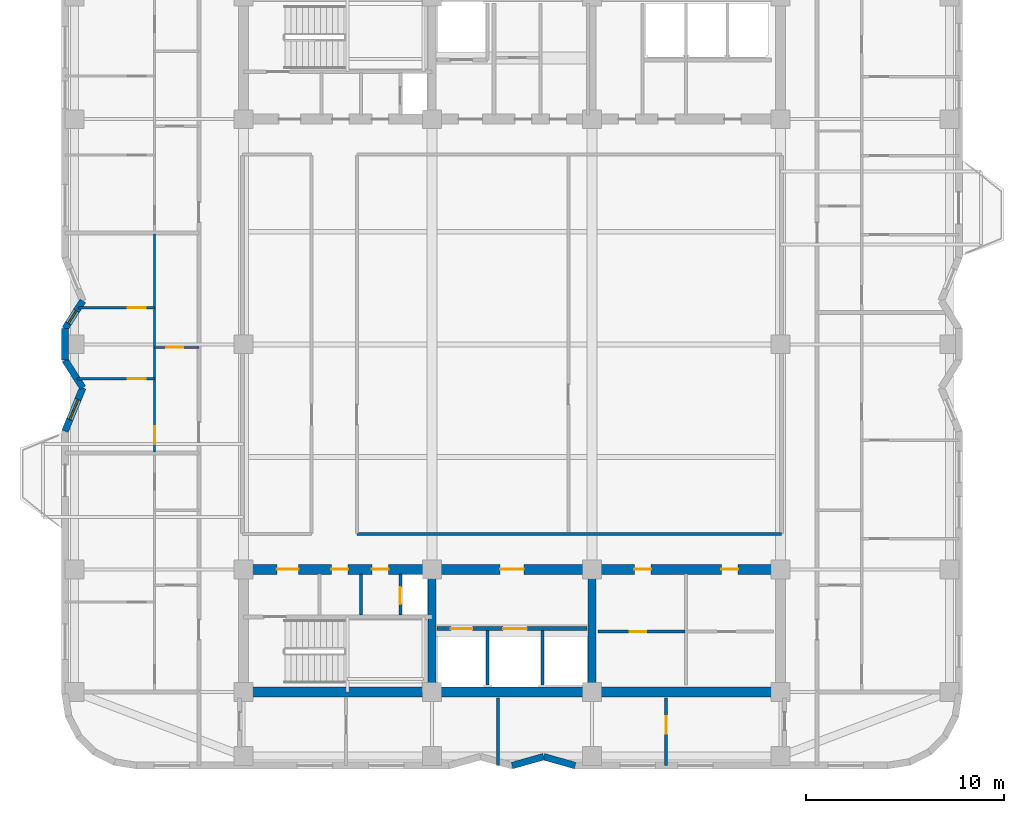
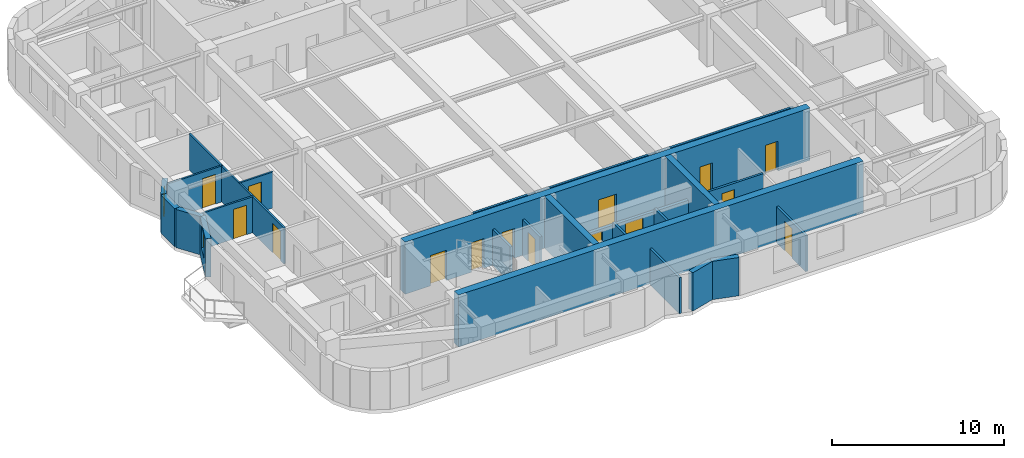
# One storey, part 3 of 9: 23 walls, 15 doors, 2 windows, 17 openings.
"""IFC4 building model written with IfcOpenShell, lengths in metres."""

from ifc_helpers import new_model, si_unit, direction, frame, frame_2d, origin, place, context, subcontext, project, spatial, rectangle, extrude, material, layer, layer_set, type_object, element, fill, save


model = new_model("IFC4")

# Units and contexts
model_context = context("Model", 3, precision=1e-05, world=origin(), true_north=direction((0.0, 1.0)))
body_context = subcontext(model_context, "Body", "Model", "MODEL_VIEW")
ifc_project = project(units=[si_unit("LENGTHUNIT", "METRE"), si_unit("AREAUNIT", "SQUARE_METRE"), si_unit("VOLUMEUNIT", "CUBIC_METRE"), si_unit("PLANEANGLEUNIT", "RADIAN"), si_unit("MASSUNIT", "GRAM", prefix="KILO")], contexts=[model_context])

# Site, building, storey
site_placement = place(None, origin())
site = spatial("IfcSite", under=ifc_project, at=site_placement, CompositionType="ELEMENT")
building_placement = place(site_placement, origin())
building = spatial("IfcBuilding", under=site, at=building_placement, Name="Svetorya Sky Lyceum", CompositionType="ELEMENT")
storey_placement = place(building_placement, frame((0.0, 0.0, 162.60009765625)))
storey = spatial("IfcBuildingStorey", under=building, at=storey_placement, Name="L40", CompositionType="ELEMENT", Elevation=162.60009765625)

# Walls
ifc_material_1 = material(Name="Concrete C40/50", Category="concrete")
ifc_layer_1 = layer(ifc_material_1, 0.39990234375)
ifc_layer_set_1 = layer_set([ifc_layer_1], Name="Concrete C40/50")
wall_type_1 = type_object("IfcWallType", Name="WL-CORE-400", PredefinedType="SHEAR", material=ifc_layer_set_1)
for number, where, z_axis, x_axis, name in (
    (1, (35.14990234375, 10.85009765625, 0.0), (0.0, 0.0, 1.0), (0.0, 1.0, 0.0), "L40 SC Internal Shear Web WEB1"),
    (2, (43.25, 10.85009765625, 0.0), (0.0, 0.0, 1.0), (0.0, 1.0, 0.0), "L40 SC Internal Shear Web WEB2"),
):
    element("IfcWall", number, at=place(storey_placement, frame(where, z_axis=z_axis, x_axis=x_axis)), inside=storey, type_object=wall_type_1, Name=name, PredefinedType="SHEAR", context=body_context, shape_type="SweptSolid", body=[
        extrude(rectangle(XDim=5.699951171875, YDim=0.39990234375, at=frame_2d((2.85009765625, 0.0))), origin(), (0.0, 0.0, 1.0), 3.699951171875),
    ])
ifc_material_2 = material(Name="Concrete C50/60", Category="concrete")
ifc_layer_2 = layer(ifc_material_2, 0.5)
ifc_layer_set_2 = layer_set([ifc_layer_2], Name="Concrete C50/60")
wall_type_2 = type_object("IfcWallType", Name="WL-CORE-500", PredefinedType="SHEAR", material=ifc_layer_set_2)
wall_1_placement = place(storey_placement, frame((52.800048828125, 10.60009765625, 0.0), z_axis=(0.0, 0.0, 1.0), x_axis=(-1.0, 0.0, 0.0)))
element("IfcWall", 3, at=wall_1_placement, inside=storey, type_object=wall_type_2, Name="L40 SC Outer Core Shear Wall", PredefinedType="SHEAR", context=body_context, shape_type="SweptSolid", body=[
    extrude(rectangle(XDim=27.199951171875, YDim=0.5, at=frame_2d((13.60009765625, 0.0))), origin(), (0.0, 0.0, 1.0), 3.699951171875),
])

# Wall, openings, doors
wall_2_placement = place(storey_placement, frame((25.60009765625, 16.800048828125, 0.0), z_axis=(0.0, 0.0, 1.0), x_axis=(1.0, 0.0, 0.0)))
wall_2 = element("IfcWall", 4, at=wall_2_placement, inside=storey, type_object=wall_type_2, Name="L40 SC Inner Core Shear Wall", PredefinedType="SHEAR", context=body_context, shape_type="SweptSolid", body=[
    extrude(rectangle(XDim=27.199951171875, YDim=0.5, at=frame_2d((13.60009765625, 0.0))), origin(), (0.0, 0.0, 1.0), 3.699951171875),
])
opening_1_placement = place(wall_2_placement, frame((1.699951171875, 0.0, 0.0)))
opening_1 = element("IfcOpeningElement", 5, at=opening_1_placement, cuts=wall_2, Name="Opening D-ST1", PredefinedType="OPENING", context=body_context, shape_type="SweptSolid", body=[
    extrude(rectangle(XDim=1.10009765625, YDim=2.14990234375, at=frame_2d((0.550048828125, 1.074951171875))), frame((0.0, 0.260009765625, 0.0), z_axis=(0.0, -1.0, 0.0), x_axis=(1.0, 0.0, 0.0)), (0.0, 0.0, 1.0), 0.52001953125),
])
opening_2_placement = place(wall_2_placement, frame((4.449951171875, 0.0, 0.0)))
opening_2 = element("IfcOpeningElement", 6, at=opening_2_placement, cuts=wall_2, Name="Opening D-CWC1", PredefinedType="OPENING", context=body_context, shape_type="SweptSolid", body=[
    extrude(rectangle(XDim=0.85009765625, YDim=2.10009765625, at=frame_2d((0.425048828125, 1.050048828125))), frame((0.0, 0.260009765625, 0.0), z_axis=(0.0, -1.0, 0.0), x_axis=(1.0, 0.0, 0.0)), (0.0, 0.0, 1.0), 0.52001953125),
])
opening_3_placement = place(wall_2_placement, frame((6.5, 0.0, 0.0)))
opening_3 = element("IfcOpeningElement", 7, at=opening_3_placement, cuts=wall_2, Name="Opening D-CWC1", PredefinedType="OPENING", context=body_context, shape_type="SweptSolid", body=[
    extrude(rectangle(XDim=0.85009765625, YDim=2.10009765625, at=frame_2d((0.425048828125, 1.050048828125))), frame((0.0, 0.260009765625, 0.0), z_axis=(0.0, -1.0, 0.0), x_axis=(1.0, 0.0, 0.0)), (0.0, 0.0, 1.0), 0.52001953125),
])
opening_4_placement = place(wall_2_placement, frame((13.0, 0.0, 0.0)))
opening_4 = element("IfcOpeningElement", 8, at=opening_4_placement, cuts=wall_2, Name="Opening D-FL1", PredefinedType="OPENING", context=body_context, shape_type="SweptSolid", body=[
    extrude(rectangle(XDim=1.199951171875, YDim=2.14990234375, at=frame_2d((0.60009765625, 1.074951171875))), frame((0.0, 0.260009765625, 0.0), z_axis=(0.0, -1.0, 0.0), x_axis=(1.0, 0.0, 0.0)), (0.0, 0.0, 1.0), 0.52001953125),
])
opening_5_placement = place(wall_2_placement, frame((19.800048828125, 0.0, 0.0)))
opening_5 = element("IfcOpeningElement", 9, at=opening_5_placement, cuts=wall_2, Name="Opening D-CWC1", PredefinedType="OPENING", context=body_context, shape_type="SweptSolid", body=[
    extrude(rectangle(XDim=0.85009765625, YDim=2.10009765625, at=frame_2d((0.425048828125, 1.050048828125))), frame((0.0, 0.260009765625, 0.0), z_axis=(0.0, -1.0, 0.0), x_axis=(1.0, 0.0, 0.0)), (0.0, 0.0, 1.0), 0.52001953125),
])
opening_6_placement = place(wall_2_placement, frame((24.199951171875, 0.0, 0.0)))
opening_6 = element("IfcOpeningElement", 10, at=opening_6_placement, cuts=wall_2, Name="Opening D-CWC1", PredefinedType="OPENING", context=body_context, shape_type="SweptSolid", body=[
    extrude(rectangle(XDim=0.85009765625, YDim=2.10009765625, at=frame_2d((0.425048828125, 1.050048828125))), frame((0.0, 0.260009765625, 0.0), z_axis=(0.0, -1.0, 0.0), x_axis=(1.0, 0.0, 0.0)), (0.0, 0.0, 1.0), 0.52001953125),
])
ifc_material_3 = material(Name="Fire-rated galvanized steel core service closet door", Category="steel")
door_type_1 = type_object("IfcDoorType", Name="DR-CWET-850", OperationType="SINGLE_SWING_LEFT", PredefinedType="DOOR", material=ifc_material_3)
door_1_placement = place(opening_2_placement, origin())
door_1 = element("IfcDoor", 11, at=door_1_placement, inside=storey, type_object=door_type_1, Name="L40 South Mop Closet Door", OperationType="SINGLE_SWING_LEFT", OverallHeight=2.10009765625, OverallWidth=0.85009765625, PredefinedType="DOOR", context=body_context, shape_type="SweptSolid", body=[
    extrude(rectangle(XDim=0.85009765625, YDim=2.10009765625, at=frame_2d((0.425048828125, 1.050048828125))), frame((0.0, 0.02490234375, 0.0), z_axis=(0.0, -1.0, 0.0), x_axis=(1.0, 0.0, 0.0)), (0.0, 0.0, 1.0), 0.050048828125),
])
fill(opening_2, door_1)
door_2_placement = place(opening_3_placement, origin())
door_2 = element("IfcDoor", 12, at=door_2_placement, inside=storey, type_object=door_type_1, Name="L40 South West WC Door", OperationType="SINGLE_SWING_RIGHT", OverallHeight=2.10009765625, OverallWidth=0.85009765625, PredefinedType="DOOR", context=body_context, shape_type="SweptSolid", body=[
    extrude(rectangle(XDim=0.85009765625, YDim=2.10009765625, at=frame_2d((0.425048828125, 1.050048828125))), frame((0.0, 0.02490234375, 0.0), z_axis=(0.0, -1.0, 0.0), x_axis=(1.0, 0.0, 0.0)), (0.0, 0.0, 1.0), 0.050048828125),
])
fill(opening_3, door_2)
door_3_placement = place(opening_5_placement, origin())
door_3 = element("IfcDoor", 13, at=door_3_placement, inside=storey, type_object=door_type_1, Name="L40 Housekeeping Door", OperationType="SINGLE_SWING_LEFT", OverallHeight=2.10009765625, OverallWidth=0.85009765625, PredefinedType="DOOR", context=body_context, shape_type="SweptSolid", body=[
    extrude(rectangle(XDim=0.85009765625, YDim=2.10009765625, at=frame_2d((0.425048828125, 1.050048828125))), frame((0.0, 0.02490234375, 0.0), z_axis=(0.0, -1.0, 0.0), x_axis=(1.0, 0.0, 0.0)), (0.0, 0.0, 1.0), 0.050048828125),
])
fill(opening_5, door_3)
door_4_placement = place(opening_6_placement, origin())
door_4 = element("IfcDoor", 14, at=door_4_placement, inside=storey, type_object=door_type_1, Name="L40 South WC Door", OperationType="SINGLE_SWING_RIGHT", OverallHeight=2.10009765625, OverallWidth=0.85009765625, PredefinedType="DOOR", context=body_context, shape_type="SweptSolid", body=[
    extrude(rectangle(XDim=0.85009765625, YDim=2.10009765625, at=frame_2d((0.425048828125, 1.050048828125))), frame((0.0, 0.02490234375, 0.0), z_axis=(0.0, -1.0, 0.0), x_axis=(1.0, 0.0, 0.0)), (0.0, 0.0, 1.0), 0.050048828125),
])
fill(opening_6, door_4)
ifc_material_4 = material(Name="Powder-coated insulated galvanized stair fire door")
door_type_2 = type_object("IfcDoorType", Name="DR-FIRE-1100", OperationType="SINGLE_SWING_LEFT", PredefinedType="DOOR", material=ifc_material_4)
door_5_placement = place(opening_1_placement, origin())
door_5 = element("IfcDoor", 15, at=door_5_placement, inside=storey, type_object=door_type_2, Name="L40 South Stair Airlock Door", OperationType="SINGLE_SWING_RIGHT", OverallHeight=2.14990234375, OverallWidth=1.10009765625, PredefinedType="DOOR", context=body_context, shape_type="SweptSolid", body=[
    extrude(rectangle(XDim=1.10009765625, YDim=2.14990234375, at=frame_2d((0.550048828125, 1.074951171875))), frame((0.0, 0.02490234375, 0.0), z_axis=(0.0, -1.0, 0.0), x_axis=(1.0, 0.0, 0.0)), (0.0, 0.0, 1.0), 0.050048828125),
])
fill(opening_1, door_5)
ifc_material_5 = material(Name="Powder-coated insulated galvanized fire door")
door_type_3 = type_object("IfcDoorType", Name="DR-FIRE-1200", OperationType="SINGLE_SWING_LEFT", PredefinedType="DOOR", material=ifc_material_5)
door_6_placement = place(opening_4_placement, origin())
door_6 = element("IfcDoor", 16, at=door_6_placement, inside=storey, type_object=door_type_3, Name="L40 South Firefighting Lift Lobby Door", OperationType="SINGLE_SWING_LEFT", OverallHeight=2.14990234375, OverallWidth=1.199951171875, PredefinedType="DOOR", context=body_context, shape_type="SweptSolid", body=[
    extrude(rectangle(XDim=1.199951171875, YDim=2.14990234375, at=frame_2d((0.60009765625, 1.074951171875))), frame((0.0, 0.02490234375, 0.0), z_axis=(0.0, -1.0, 0.0), x_axis=(1.0, 0.0, 0.0)), (0.0, 0.0, 1.0), 0.050048828125),
])
fill(opening_4, door_6)

# Walls
ifc_material_6 = material(Name="Putilovo limestone rainscreen on autoclaved cellular masonry", Category="masonry")
ifc_layer_3 = layer(ifc_material_6, 0.340087890625)
ifc_layer_set_3 = layer_set([ifc_layer_3], Name="Putilovo limestone rainscreen on autoclaved cellular masonry")
wall_type_3 = type_object("IfcWallType", Name="WL-EXT-340", PredefinedType="SOLIDWALL", material=ifc_layer_set_3)
wall_3_placement = place(storey_placement, frame((39.199951171875, 6.8701171875, 0.0), z_axis=(0.0, 0.0, 1.0), x_axis=(0.962662902433, 0.270703040766, 0.0)))
element("IfcWall", 17, at=wall_3_placement, inside=storey, type_object=wall_type_3, Name="L40 Limestone Exterior Wall 9M", PredefinedType="SOLIDWALL", context=body_context, shape_type="SweptSolid", body=[
    extrude(rectangle(XDim=1.662109375, YDim=0.340087890625, at=frame_2d((0.8310546875, 0.0))), origin(), (0.0, 0.0, 1.0), 2.719970703125),
])
wall_4_placement = place(storey_placement, frame((40.800048828125, 7.320068359375, 0.0), z_axis=(0.0, 0.0, 1.0), x_axis=(0.962652136636, -0.270741322725, 0.0)))
element("IfcWall", 18, at=wall_4_placement, inside=storey, type_object=wall_type_3, Name="L40 Limestone Exterior Wall 10M", PredefinedType="SOLIDWALL", context=body_context, shape_type="SweptSolid", body=[
    extrude(rectangle(XDim=1.661865234375, YDim=0.340087890625, at=frame_2d((0.8310546875, 0.0))), origin(), (0.0, 0.0, 1.0), 2.719970703125),
])

# Wall, opening, window
wall_5_placement = place(storey_placement, frame((17.469970703125, 30.39990234375, 0.0), z_axis=(0.0, 0.0, 1.0), x_axis=(-0.540742762169, -0.841188008214, 0.0)))
wall_5 = element("IfcWall", 19, at=wall_5_placement, inside=storey, type_object=wall_type_3, Name="L40 Limestone Exterior Wall 42M", PredefinedType="SOLIDWALL", context=body_context, shape_type="SweptSolid", body=[
    extrude(rectangle(XDim=1.664306640625, YDim=0.340087890625, at=frame_2d((0.83203125, 0.0))), origin(), (0.0, 0.0, 1.0), 2.719970703125),
])
opening_7_placement = place(wall_5_placement, frame((0.60009765625, 0.0, 0.909912109375)))
opening_7 = element("IfcOpeningElement", 20, at=opening_7_placement, cuts=wall_5, Name="Opening W-R5", PredefinedType="OPENING", context=body_context, shape_type="SweptSolid", body=[
    extrude(rectangle(XDim=0.75, YDim=1.64990234375, at=frame_2d((0.375, 0.824951171875))), frame((0.0, 0.179931640625, 0.0), z_axis=(0.0, -1.0, 0.0), x_axis=(1.0, 0.0, 0.0)), (0.0, 0.0, 1.0), 0.360107421875),
])
ifc_material_7 = material(Name="Thermally broken aluminium frame with triple low-E glazing", Category="aluminium")
window_type_1 = type_object("IfcWindowType", Name="WN-RES-075", PartitioningType="SINGLE_PANEL", PredefinedType="WINDOW", material=ifc_material_7)
window_1_placement = place(opening_7_placement, origin())
window_1 = element("IfcWindow", 21, at=window_1_placement, inside=storey, type_object=window_type_1, Name="L40 Facade Window W-R5.42M.1", OverallHeight=1.64990234375, OverallWidth=0.75, PartitioningType="SINGLE_PANEL", PredefinedType="WINDOW", context=body_context, shape_type="SweptSolid", body=[
    extrude(rectangle(XDim=0.75, YDim=1.64990234375, at=frame_2d((0.375, 0.824951171875))), frame((0.0, 0.030029296875, 0.0), z_axis=(0.0, -1.0, 0.0), x_axis=(1.0, 0.0, 0.0)), (0.0, 0.0, 1.0), 0.06005859375),
])
fill(opening_7, window_1)

# Walls
wall_6_placement = place(storey_placement, frame((16.570068359375, 29.0, 0.0), z_axis=(0.0, 0.0, 1.0), x_axis=(0.0, -1.0, 0.0)))
element("IfcWall", 22, at=wall_6_placement, inside=storey, type_object=wall_type_3, Name="L40 Limestone Exterior Wall 43M", PredefinedType="SOLIDWALL", context=body_context, shape_type="SweptSolid", body=[
    extrude(rectangle(XDim=1.60009765625, YDim=0.340087890625, at=frame_2d((0.800048828125, 0.0))), origin(), (0.0, 0.0, 1.0), 2.719970703125),
])
wall_7_placement = place(storey_placement, frame((16.570068359375, 27.39990234375, 0.0), z_axis=(0.0, 0.0, 1.0), x_axis=(0.540742762169, -0.841188008214, 0.0)))
element("IfcWall", 23, at=wall_7_placement, inside=storey, type_object=wall_type_3, Name="L40 Limestone Exterior Wall 44M", PredefinedType="SOLIDWALL", context=body_context, shape_type="SweptSolid", body=[
    extrude(rectangle(XDim=1.664306640625, YDim=0.340087890625, at=frame_2d((0.83203125, 0.0))), origin(), (0.0, 0.0, 1.0), 2.719970703125),
])

# Wall, opening, window
wall_8_placement = place(storey_placement, frame((17.469970703125, 26.0, 0.0), z_axis=(0.0, 0.0, 1.0), x_axis=(-0.378604849088, -0.925558408879, 0.0)))
wall_8 = element("IfcWall", 24, at=wall_8_placement, inside=storey, type_object=wall_type_3, Name="L40 Limestone Exterior Wall 45M", PredefinedType="SOLIDWALL", context=body_context, shape_type="SweptSolid", body=[
    extrude(rectangle(XDim=2.376953125, YDim=0.340087890625, at=frame_2d((1.1884765625, 0.0))), origin(), (0.0, 0.0, 1.0), 2.719970703125),
])
opening_8_placement = place(wall_8_placement, frame((0.638427734375, 0.0, 0.909912109375)))
opening_8 = element("IfcOpeningElement", 25, at=opening_8_placement, cuts=wall_8, Name="Opening W-R3", PredefinedType="OPENING", context=body_context, shape_type="SweptSolid", body=[
    extrude(rectangle(XDim=1.10009765625, YDim=1.64990234375, at=frame_2d((0.550048828125, 0.824951171875))), frame((0.0, 0.179931640625, 0.0), z_axis=(0.0, -1.0, 0.0), x_axis=(1.0, 0.0, 0.0)), (0.0, 0.0, 1.0), 0.360107421875),
])
window_type_2 = type_object("IfcWindowType", Name="WN-RES-110", PartitioningType="SINGLE_PANEL", PredefinedType="WINDOW", material=ifc_material_7)
window_2_placement = place(opening_8_placement, origin())
window_2 = element("IfcWindow", 26, at=window_2_placement, inside=storey, type_object=window_type_2, Name="L40 Facade Window W-R3.45M.1", OverallHeight=1.64990234375, OverallWidth=1.10009765625, PartitioningType="SINGLE_PANEL", PredefinedType="WINDOW", context=body_context, shape_type="SweptSolid", body=[
    extrude(rectangle(XDim=1.10009765625, YDim=1.64990234375, at=frame_2d((0.550048828125, 0.824951171875))), frame((0.0, 0.030029296875, 0.0), z_axis=(0.0, -1.0, 0.0), x_axis=(1.0, 0.0, 0.0)), (0.0, 0.0, 1.0), 0.06005859375),
])
fill(opening_8, window_2)

# Wall, opening, door
ifc_material_8 = material(Name="Twin-stud galvanized framing with double fireboard", Category="gypsum")
ifc_layer_4 = layer(ifc_material_8, 0.1201171875)
ifc_layer_set_4 = layer_set([ifc_layer_4], Name="Twin-stud galvanized framing with double fireboard")
wall_type_4 = type_object("IfcWallType", Name="WL-PART-120", PredefinedType="PARTITIONING", material=ifc_layer_set_4)
wall_9_placement = place(storey_placement, frame((21.10009765625, 28.0400390625, 0.0), z_axis=(0.0, 0.0, 1.0), x_axis=(1.0, 0.0, 0.0)))
wall_9 = element("IfcWall", 27, at=wall_9_placement, inside=storey, type_object=wall_type_4, Name="L40 Interior Partition W2-WH1", PredefinedType="PARTITIONING", context=body_context, shape_type="SweptSolid", body=[
    extrude(rectangle(XDim=2.25, YDim=0.1201171875, at=frame_2d((1.125, 0.0))), origin(), (0.0, 0.0, 1.0), 2.5498046875),
])
opening_9_placement = place(wall_9_placement, frame((0.60009765625, 0.0, 0.0)))
opening_9 = element("IfcOpeningElement", 28, at=opening_9_placement, cuts=wall_9, Name="Opening D-BT1", PredefinedType="OPENING", context=body_context, shape_type="SweptSolid", body=[
    extrude(rectangle(XDim=0.85009765625, YDim=2.10009765625, at=frame_2d((0.425048828125, 1.050048828125))), frame((0.0, 0.070068359375, 0.0), z_axis=(0.0, -1.0, 0.0), x_axis=(1.0, 0.0, 0.0)), (0.0, 0.0, 1.0), 0.14013671875),
])
ifc_material_9 = material(Name="Moisture-resistant laminate bathroom door")
door_type_4 = type_object("IfcDoorType", Name="DR-WET-850", OperationType="SINGLE_SWING_LEFT", PredefinedType="DOOR", material=ifc_material_9)
door_7_placement = place(opening_9_placement, origin())
door_7 = element("IfcDoor", 29, at=door_7_placement, inside=storey, type_object=door_type_4, Name="Apartment W2 Bathroom Door", OperationType="SINGLE_SWING_RIGHT", OverallHeight=2.10009765625, OverallWidth=0.85009765625, PredefinedType="DOOR", context=body_context, shape_type="SweptSolid", body=[
    extrude(rectangle(XDim=0.85009765625, YDim=2.10009765625, at=frame_2d((0.425048828125, 1.050048828125))), frame((0.0, 0.02490234375, 0.0), z_axis=(0.0, -1.0, 0.0), x_axis=(1.0, 0.0, 0.0)), (0.0, 0.0, 1.0), 0.050048828125),
])
fill(opening_9, door_7)

wall_10_placement = place(storey_placement, frame((17.1806640625, 26.449951171875, 0.0), z_axis=(0.0, 0.0, 1.0), x_axis=(1.0, 0.0, 0.0)))
wall_10 = element("IfcWall", 30, at=wall_10_placement, inside=storey, type_object=wall_type_4, Name="L40 Interior Partition W2-WL1", PredefinedType="PARTITIONING", context=body_context, shape_type="SweptSolid", body=[
    extrude(rectangle(XDim=3.91943359375, YDim=0.1201171875, at=frame_2d((1.959716796875, 0.0))), origin(), (0.0, 0.0, 1.0), 2.5498046875),
])
opening_10_placement = place(wall_10_placement, frame((2.5693359375, 0.0, 0.0)))
opening_10 = element("IfcOpeningElement", 31, at=opening_10_placement, cuts=wall_10, Name="Opening D-RM1", PredefinedType="OPENING", context=body_context, shape_type="SweptSolid", body=[
    extrude(rectangle(XDim=0.89990234375, YDim=2.10009765625, at=frame_2d((0.449951171875, 1.050048828125))), frame((0.0, 0.070068359375, 0.0), z_axis=(0.0, -1.0, 0.0), x_axis=(1.0, 0.0, 0.0)), (0.0, 0.0, 1.0), 0.14013671875),
])
ifc_material_10 = material(Name="Lacquered birch veneer internal door")
door_type_5 = type_object("IfcDoorType", Name="DR-INT-900", OperationType="SINGLE_SWING_LEFT", PredefinedType="DOOR", material=ifc_material_10)
door_8_placement = place(opening_10_placement, origin())
door_8 = element("IfcDoor", 32, at=door_8_placement, inside=storey, type_object=door_type_5, Name="Apartment W2 Master Bedroom Door", OperationType="SINGLE_SWING_RIGHT", OverallHeight=2.10009765625, OverallWidth=0.89990234375, PredefinedType="DOOR", context=body_context, shape_type="SweptSolid", body=[
    extrude(rectangle(XDim=0.89990234375, YDim=2.10009765625, at=frame_2d((0.449951171875, 1.050048828125))), frame((0.0, 0.02490234375, 0.0), z_axis=(0.0, -1.0, 0.0), x_axis=(1.0, 0.0, 0.0)), (0.0, 0.0, 1.0), 0.050048828125),
])
fill(opening_10, door_8)

wall_11_placement = place(storey_placement, frame((17.2451171875, 30.050048828125, 0.0), z_axis=(0.0, 0.0, 1.0), x_axis=(1.0, 0.0, 0.0)))
wall_11 = element("IfcWall", 33, at=wall_11_placement, inside=storey, type_object=wall_type_4, Name="L40 Interior Partition W2-WL2", PredefinedType="PARTITIONING", context=body_context, shape_type="SweptSolid", body=[
    extrude(rectangle(XDim=3.85498046875, YDim=0.1201171875, at=frame_2d((1.927490234375, 0.0))), origin(), (0.0, 0.0, 1.0), 2.5498046875),
])
opening_11_placement = place(wall_11_placement, frame((2.5048828125, 0.0, 0.0)))
opening_11 = element("IfcOpeningElement", 34, at=opening_11_placement, cuts=wall_11, Name="Opening D-RM1", PredefinedType="OPENING", context=body_context, shape_type="SweptSolid", body=[
    extrude(rectangle(XDim=0.89990234375, YDim=2.10009765625, at=frame_2d((0.449951171875, 1.050048828125))), frame((0.0, 0.070068359375, 0.0), z_axis=(0.0, -1.0, 0.0), x_axis=(1.0, 0.0, 0.0)), (0.0, 0.0, 1.0), 0.14013671875),
])
door_9_placement = place(opening_11_placement, origin())
door_9 = element("IfcDoor", 35, at=door_9_placement, inside=storey, type_object=door_type_5, Name="Apartment W2 Bedroom 2 Door", OperationType="SINGLE_SWING_LEFT", OverallHeight=2.10009765625, OverallWidth=0.89990234375, PredefinedType="DOOR", context=body_context, shape_type="SweptSolid", body=[
    extrude(rectangle(XDim=0.89990234375, YDim=2.10009765625, at=frame_2d((0.449951171875, 1.050048828125))), frame((0.0, 0.02490234375, 0.0), z_axis=(0.0, -1.0, 0.0), x_axis=(1.0, 0.0, 0.0)), (0.0, 0.0, 1.0), 0.050048828125),
])
fill(opening_11, door_9)

wall_12_placement = place(storey_placement, frame((21.10009765625, 22.739990234375, 0.0), z_axis=(0.0, 0.0, 1.0), x_axis=(0.0, 1.0, 0.0)))
wall_12 = element("IfcWall", 36, at=wall_12_placement, inside=storey, type_object=wall_type_4, Name="L40 Interior Partition W2-WV", PredefinedType="PARTITIONING", context=body_context, shape_type="SweptSolid", body=[
    extrude(rectangle(XDim=11.052001953125, YDim=0.1201171875, at=frame_2d((5.52587890625, 0.0))), origin(), (0.0, 0.0, 1.0), 2.5498046875),
])
opening_12_placement = place(wall_12_placement, frame((0.409912109375, 0.0, 0.0)))
opening_12 = element("IfcOpeningElement", 37, at=opening_12_placement, cuts=wall_12, Name="Opening D-RM1", PredefinedType="OPENING", context=body_context, shape_type="SweptSolid", body=[
    extrude(rectangle(XDim=0.89990234375, YDim=2.10009765625, at=frame_2d((0.449951171875, 1.050048828125))), frame((0.0, 0.070068359375, 0.0), z_axis=(0.0, -1.0, 0.0), x_axis=(1.0, 0.0, 0.0)), (0.0, 0.0, 1.0), 0.14013671875),
])
door_10_placement = place(opening_12_placement, origin())
door_10 = element("IfcDoor", 38, at=door_10_placement, inside=storey, type_object=door_type_5, Name="Apartment W2 Living Door", OperationType="SINGLE_SWING_LEFT", OverallHeight=2.10009765625, OverallWidth=0.89990234375, PredefinedType="DOOR", context=body_context, shape_type="SweptSolid", body=[
    extrude(rectangle(XDim=0.89990234375, YDim=2.10009765625, at=frame_2d((0.449951171875, 1.050048828125))), frame((0.0, 0.02490234375, 0.0), z_axis=(0.0, -1.0, 0.0), x_axis=(1.0, 0.0, 0.0)), (0.0, 0.0, 1.0), 0.050048828125),
])
fill(opening_12, door_10)

# Wall
ifc_material_11 = material(Name="Autoclaved cellular masonry blockwork with acoustic render", Category="masonry")
ifc_layer_5 = layer(ifc_material_11, 0.14990234375)
ifc_layer_set_5 = layer_set([ifc_layer_5], Name="Autoclaved cellular masonry blockwork with acoustic render")
wall_type_5 = type_object("IfcWallType", Name="WL-PART-150", PredefinedType="PARTITIONING", material=ifc_layer_set_5)
wall_13_placement = place(storey_placement, frame((31.550048828125, 14.5, 0.0), z_axis=(0.0, 0.0, 1.0), x_axis=(0.0, 1.0, 0.0)))
element("IfcWall", 39, at=wall_13_placement, inside=storey, type_object=wall_type_5, Name="L40 Interior Partition SC-SWD2", PredefinedType="PARTITIONING", context=body_context, shape_type="SweptSolid", body=[
    extrude(rectangle(XDim=2.080078125, YDim=0.14990234375, at=frame_2d((1.0400390625, 0.0))), origin(), (0.0, 0.0, 1.0), 2.5498046875),
])

# Wall, opening, door
wall_14_placement = place(storey_placement, frame((33.550048828125, 14.5, 0.0), z_axis=(0.0, 0.0, 1.0), x_axis=(0.0, 1.0, 0.0)))
wall_14 = element("IfcWall", 40, at=wall_14_placement, inside=storey, type_object=wall_type_5, Name="L40 Interior Partition SC-SWD3", PredefinedType="PARTITIONING", context=body_context, shape_type="SweptSolid", body=[
    extrude(rectangle(XDim=2.080078125, YDim=0.14990234375, at=frame_2d((1.0400390625, 0.0))), origin(), (0.0, 0.0, 1.0), 2.5498046875),
])
opening_13_placement = place(wall_14_placement, frame((0.550048828125, 0.0, 0.0)))
opening_13 = element("IfcOpeningElement", 41, at=opening_13_placement, cuts=wall_14, Name="Opening D-SH1", PredefinedType="OPENING", context=body_context, shape_type="SweptSolid", body=[
    extrude(rectangle(XDim=0.85009765625, YDim=2.050048828125, at=frame_2d((0.425048828125, 1.02490234375))), frame((0.0, 0.0849609375, 0.0), z_axis=(0.0, -1.0, 0.0), x_axis=(1.0, 0.0, 0.0)), (0.0, 0.0, 1.0), 0.169921875),
])
ifc_material_12 = material(Name="Insulated galvanized riser inspection fire door")
door_type_6 = type_object("IfcDoorType", Name="DR-SHFT-850", OperationType="SINGLE_SWING_LEFT", PredefinedType="TRAPDOOR", material=ifc_material_12)
door_11_placement = place(opening_13_placement, origin())
door_11 = element("IfcDoor", 42, at=door_11_placement, inside=storey, type_object=door_type_6, Name="L40 South Riser Access Door", OperationType="SINGLE_SWING_RIGHT", OverallHeight=2.050048828125, OverallWidth=0.85009765625, PredefinedType="TRAPDOOR", context=body_context, shape_type="SweptSolid", body=[
    extrude(rectangle(XDim=0.85009765625, YDim=2.050048828125, at=frame_2d((0.425048828125, 1.02490234375))), frame((0.0, 0.02490234375, 0.0), z_axis=(0.0, -1.0, 0.0), x_axis=(1.0, 0.0, 0.0)), (0.0, 0.0, 1.0), 0.050048828125),
])
fill(opening_13, door_11)

# Walls
for number, where, z_axis, x_axis, name in (
    (43, (37.949951171875, 10.949951171875, 0.0), (0.0, 0.0, 1.0), (0.0, 1.0, 0.0), "L40 Interior Partition SC-SHD1"),
    (44, (40.75, 10.949951171875, 0.0), (0.0, 0.0, 1.0), (0.0, 1.0, 0.0), "L40 Interior Partition SC-SHD2"),
):
    element("IfcWall", number, at=place(storey_placement, frame(where, z_axis=z_axis, x_axis=x_axis)), inside=storey, type_object=wall_type_5, Name=name, PredefinedType="PARTITIONING", context=body_context, shape_type="SweptSolid", body=[
        extrude(rectangle(XDim=2.75, YDim=0.14990234375, at=frame_2d((1.375, 0.0))), origin(), (0.0, 0.0, 1.0), 2.5498046875),
    ])

# Wall, opening, door
wall_15_placement = place(storey_placement, frame((43.550048828125, 13.64990234375, 0.0), z_axis=(0.0, 0.0, 1.0), x_axis=(1.0, 0.0, 0.0)))
wall_15 = element("IfcWall", 45, at=wall_15_placement, inside=storey, type_object=wall_type_5, Name="L40 Interior Partition SC-LV7-HW", PredefinedType="PARTITIONING", context=body_context, shape_type="SweptSolid", body=[
    extrude(rectangle(XDim=4.39990234375, YDim=0.14990234375, at=frame_2d((2.199951171875, 0.0))), origin(), (0.0, 0.0, 1.0), 2.5498046875),
])
opening_14_placement = place(wall_15_placement, frame((1.60009765625, 0.0, 0.0)))
opening_14 = element("IfcOpeningElement", 46, at=opening_14_placement, cuts=wall_15, Name="Opening D-CWC1", PredefinedType="OPENING", context=body_context, shape_type="SweptSolid", body=[
    extrude(rectangle(XDim=0.85009765625, YDim=2.10009765625, at=frame_2d((0.425048828125, 1.050048828125))), frame((0.0, 0.0849609375, 0.0), z_axis=(0.0, -1.0, 0.0), x_axis=(1.0, 0.0, 0.0)), (0.0, 0.0, 1.0), 0.169921875),
])
door_12_placement = place(opening_14_placement, origin())
door_12 = element("IfcDoor", 47, at=door_12_placement, inside=storey, type_object=door_type_1, Name="L40 South Electrical Room Door", OperationType="SINGLE_SWING_LEFT", OverallHeight=2.10009765625, OverallWidth=0.85009765625, PredefinedType="DOOR", context=body_context, shape_type="SweptSolid", body=[
    extrude(rectangle(XDim=0.85009765625, YDim=2.10009765625, at=frame_2d((0.425048828125, 1.050048828125))), frame((0.0, 0.02490234375, 0.0), z_axis=(0.0, -1.0, 0.0), x_axis=(1.0, 0.0, 0.0)), (0.0, 0.0, 1.0), 0.050048828125),
])
fill(opening_14, door_12)

# Walls
wall_16_placement = place(storey_placement, frame((31.35009765625, 18.60009765625, 0.0), z_axis=(0.0, 0.0, 1.0), x_axis=(1.0, 0.0, 0.0)))
element("IfcWall", 48, at=wall_16_placement, inside=storey, type_object=wall_type_5, Name="L40 Interior Partition OFF-CS-E", PredefinedType="PARTITIONING", context=body_context, shape_type="SweptSolid", body=[
    extrude(rectangle(XDim=21.5, YDim=0.14990234375, at=frame_2d((10.75, 0.0))), origin(), (0.0, 0.0, 1.0), 2.5498046875),
])
wall_17_placement = place(storey_placement, frame((38.5, 6.8701171875, 0.0), z_axis=(0.0, 0.0, 1.0), x_axis=(0.0, 1.0, 0.0)))
element("IfcWall", 49, at=wall_17_placement, inside=storey, type_object=wall_type_5, Name="L40 Interior Partition S4-D2", PredefinedType="PARTITIONING", context=body_context, shape_type="SweptSolid", body=[
    extrude(rectangle(XDim=3.429931640625, YDim=0.14990234375, at=frame_2d((1.71484375, 0.0))), origin(), (0.0, 0.0, 1.0), 2.5498046875),
])

# Wall, opening, door
wall_18_placement = place(storey_placement, frame((47.0, 6.8701171875, 0.0), z_axis=(0.0, 0.0, 1.0), x_axis=(0.0, 1.0, 0.0)))
wall_18 = element("IfcWall", 50, at=wall_18_placement, inside=storey, type_object=wall_type_5, Name="L40 Interior Partition S4-D3", PredefinedType="PARTITIONING", context=body_context, shape_type="SweptSolid", body=[
    extrude(rectangle(XDim=3.429931640625, YDim=0.14990234375, at=frame_2d((1.71484375, 0.0))), origin(), (0.0, 0.0, 1.0), 2.5498046875),
])
opening_15_placement = place(wall_18_placement, frame((1.60009765625, 0.0, 0.0)))
opening_15 = element("IfcOpeningElement", 51, at=opening_15_placement, cuts=wall_18, Name="Opening D-RM1", PredefinedType="OPENING", context=body_context, shape_type="SweptSolid", body=[
    extrude(rectangle(XDim=0.89990234375, YDim=2.10009765625, at=frame_2d((0.449951171875, 1.050048828125))), frame((0.0, 0.0849609375, 0.0), z_axis=(0.0, -1.0, 0.0), x_axis=(1.0, 0.0, 0.0)), (0.0, 0.0, 1.0), 0.169921875),
])
door_13_placement = place(opening_15_placement, origin())
door_13 = element("IfcDoor", 52, at=door_13_placement, inside=storey, type_object=door_type_5, Name="L40 South Suite Door 3", OperationType="SINGLE_SWING_LEFT", OverallHeight=2.10009765625, OverallWidth=0.89990234375, PredefinedType="DOOR", context=body_context, shape_type="SweptSolid", body=[
    extrude(rectangle(XDim=0.89990234375, YDim=2.10009765625, at=frame_2d((0.449951171875, 1.050048828125))), frame((0.0, 0.02490234375, 0.0), z_axis=(0.0, -1.0, 0.0), x_axis=(1.0, 0.0, 0.0)), (0.0, 0.0, 1.0), 0.050048828125),
])
fill(opening_15, door_13)

# Wall, openings, doors
ifc_material_13 = material(Name="Autoclaved cellular masonry blockwork with gypsum plaster", Category="masonry")
ifc_layer_6 = layer(ifc_material_13, 0.199951171875)
ifc_layer_set_6 = layer_set([ifc_layer_6], Name="Autoclaved cellular masonry blockwork with gypsum plaster")
wall_type_6 = type_object("IfcWallType", Name="WL-PART-200", PredefinedType="PARTITIONING", material=ifc_layer_set_6)
wall_19_placement = place(storey_placement, frame((35.39990234375, 13.800048828125, 0.0), z_axis=(0.0, 0.0, 1.0), x_axis=(1.0, 0.0, 0.0)))
wall_19 = element("IfcWall", 53, at=wall_19_placement, inside=storey, type_object=wall_type_6, Name="L40 Interior Partition SC-FLW", PredefinedType="PARTITIONING", context=body_context, shape_type="SweptSolid", body=[
    extrude(rectangle(XDim=7.60009765625, YDim=0.199951171875, at=frame_2d((3.800048828125, 0.0))), origin(), (0.0, 0.0, 1.0), 2.31982421875),
])
opening_16_placement = place(wall_19_placement, frame((0.699951171875, 0.0, 0.0)))
opening_16 = element("IfcOpeningElement", 54, at=opening_16_placement, cuts=wall_19, Name="Opening LD-FL", PredefinedType="OPENING", context=body_context, shape_type="SweptSolid", body=[
    extrude(rectangle(XDim=1.10009765625, YDim=2.14990234375, at=frame_2d((0.550048828125, 1.074951171875))), frame((0.0, 0.10986328125, 0.0), z_axis=(0.0, -1.0, 0.0), x_axis=(1.0, 0.0, 0.0)), (0.0, 0.0, 1.0), 0.219970703125),
])
opening_17_placement = place(wall_19_placement, frame((3.35009765625, 0.0, 0.0)))
opening_17 = element("IfcOpeningElement", 55, at=opening_17_placement, cuts=wall_19, Name="Opening LD-SV", PredefinedType="OPENING", context=body_context, shape_type="SweptSolid", body=[
    extrude(rectangle(XDim=1.199951171875, YDim=2.14990234375, at=frame_2d((0.60009765625, 1.074951171875))), frame((0.0, 0.10986328125, 0.0), z_axis=(0.0, -1.0, 0.0), x_axis=(1.0, 0.0, 0.0)), (0.0, 0.0, 1.0), 0.219970703125),
])
ifc_material_14 = material(Name="Fire-rated stainless AISI 304 firefighting lift landing door")
door_type_7 = type_object("IfcDoorType", Name="DR-LIFT-1100", OperationType="SLIDING_TO_LEFT", PredefinedType="DOOR", material=ifc_material_14)
door_14_placement = place(opening_16_placement, origin())
door_14 = element("IfcDoor", 56, at=door_14_placement, inside=storey, type_object=door_type_7, Name="L40 Firefighting Lift FL2 Landing Door", OperationType="SLIDING_TO_LEFT", OverallHeight=2.14990234375, OverallWidth=1.10009765625, PredefinedType="DOOR", context=body_context, shape_type="SweptSolid", body=[
    extrude(rectangle(XDim=1.10009765625, YDim=2.14990234375, at=frame_2d((0.550048828125, 1.074951171875))), frame((0.0, 0.02490234375, 0.0), z_axis=(0.0, -1.0, 0.0), x_axis=(1.0, 0.0, 0.0)), (0.0, 0.0, 1.0), 0.050048828125),
])
fill(opening_16, door_14)
ifc_material_15 = material(Name="Brushed stainless AISI 304 telescopic lift landing door")
door_type_8 = type_object("IfcDoorType", Name="DR-LIFT-1200", OperationType="SLIDING_TO_LEFT", PredefinedType="DOOR", material=ifc_material_15)
door_15_placement = place(opening_17_placement, origin())
door_15 = element("IfcDoor", 57, at=door_15_placement, inside=storey, type_object=door_type_8, Name="L40 Service Lift SVL1 Landing Door", OperationType="SLIDING_TO_LEFT", OverallHeight=2.14990234375, OverallWidth=1.199951171875, PredefinedType="DOOR", context=body_context, shape_type="SweptSolid", body=[
    extrude(rectangle(XDim=1.199951171875, YDim=2.14990234375, at=frame_2d((0.60009765625, 1.074951171875))), frame((0.0, 0.02490234375, 0.0), z_axis=(0.0, -1.0, 0.0), x_axis=(1.0, 0.0, 0.0)), (0.0, 0.0, 1.0), 0.050048828125),
])
fill(opening_17, door_15)

save(model, "model.ifc")
